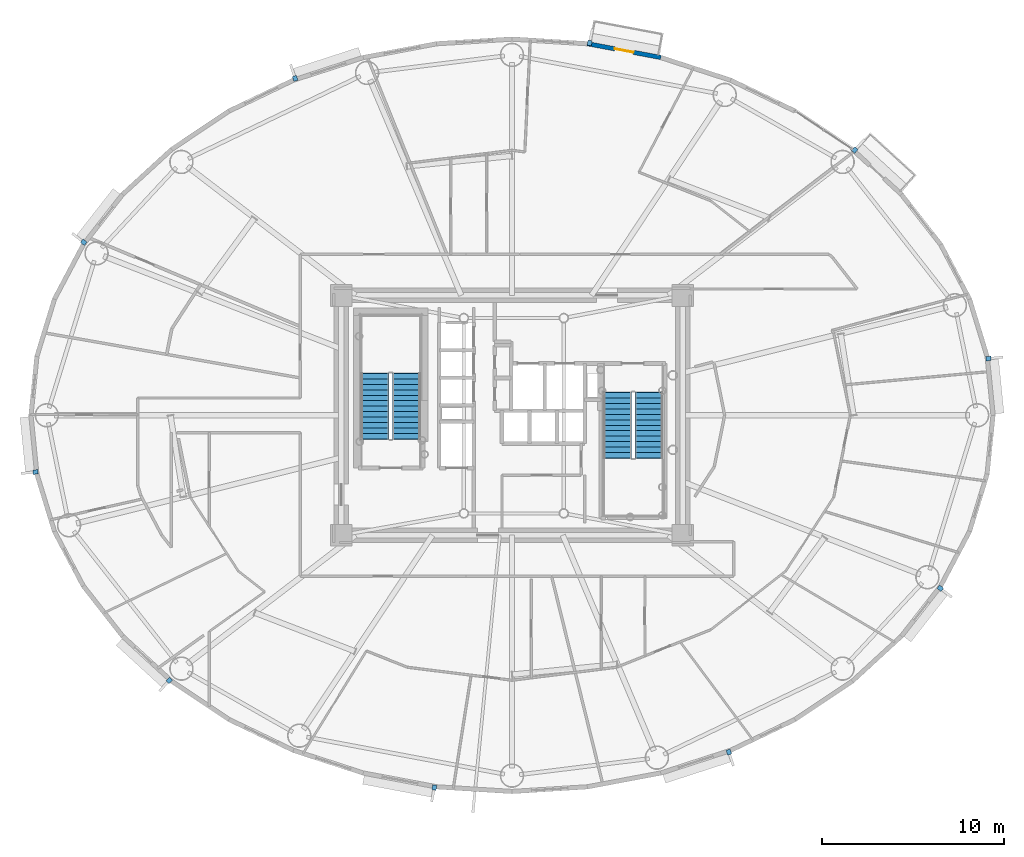
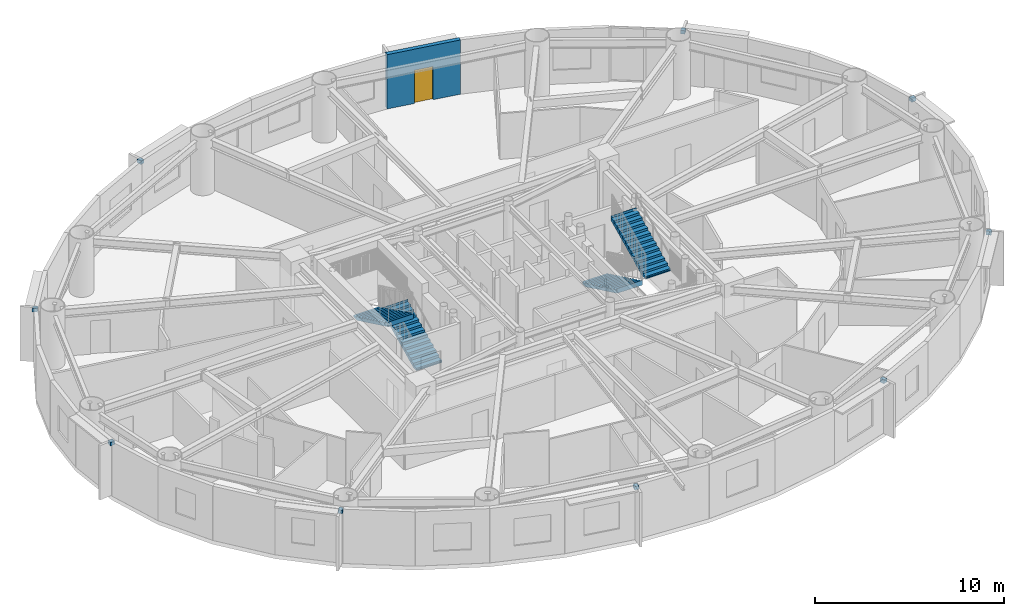
# One storey, part 14 of 21: 10 discrete accessories, 4 stair flights, 1 door, 1 wall, 1 opening, 2 elements without a shape of their own.
"""IFC4 building model written with IfcOpenShell, lengths in metres."""

from ifc_helpers import new_model, si_unit, direction, frame, frame_2d, origin, origin_2d, place, context, subcontext, project, spatial, polyline, rectangle, outline, extrude, source, transform, mapped, material, layer, layer_set, type_object, element, fill, aggregate, save


model = new_model("IFC4")

# Units and contexts
model_context = context("Model", 3, precision=1e-05, world=origin(), true_north=direction((0.0, 1.0)))
body_context = subcontext(model_context, "Body", "Model", "MODEL_VIEW")
ifc_project = project(units=[si_unit("LENGTHUNIT", "METRE"), si_unit("AREAUNIT", "SQUARE_METRE"), si_unit("VOLUMEUNIT", "CUBIC_METRE"), si_unit("PLANEANGLEUNIT", "RADIAN"), si_unit("MASSUNIT", "GRAM", prefix="KILO")], contexts=[model_context])

# Site, building, storey
site_placement = place(None, origin())
site = spatial("IfcSite", under=ifc_project, at=site_placement, CompositionType="ELEMENT")
building_placement = place(site_placement, origin())
building = spatial("IfcBuilding", under=site, at=building_placement, Name="Linh Dai School and Residence Tower", CompositionType="ELEMENT")
storey_placement = place(building_placement, frame((0.0, 0.0, 189.89990234375)))
storey = spatial("IfcBuildingStorey", under=building, at=storey_placement, Name="L46", CompositionType="ELEMENT", Elevation=189.89990234375)

# Wall, opening, door
ifc_material_1 = material(Name="Precast Concrete B45 (C35/45)", Category="concrete")
ifc_layer = layer(ifc_material_1, 0.239990234375)
ifc_layer_set = layer_set([ifc_layer], Name="Precast Concrete B45 (C35/45)")
wall_type = type_object("IfcWallType", Name="EW-TC-240", PredefinedType="SOLIDWALL", material=ifc_layer_set)
wall_placement = place(storey_placement, frame((40.145751953125, 47.449462890625, 0.0), z_axis=(0.0, 0.0, 1.0), x_axis=(0.982788108205, -0.184736391573, 0.0)))
wall = element("IfcWall", 1, at=wall_placement, inside=storey, type_object=wall_type, Name="L46 Terracotta Exterior Wall 09", PredefinedType="SOLIDWALL", context=body_context, shape_type="SweptSolid", body=[
    extrude(rectangle(XDim=4.114013671875, YDim=0.239990234375, at=frame_2d((2.05712890625, 0.0))), origin(), (0.0, 0.0, 1.0), 3.5),
])
opening_placement = place(wall_placement, frame((1.531982421875, 0.0, 0.0)))
opening = element("IfcOpeningElement", 2, at=opening_placement, cuts=wall, Name="Opening BD1", PredefinedType="OPENING", context=body_context, shape_type="SweptSolid", body=[
    extrude(rectangle(XDim=1.050048828125, YDim=2.14990234375, at=origin_2d()), frame((0.52490234375, 0.1298828125, 1.074951171875), z_axis=(0.0, -1.0, 0.0), x_axis=(1.0, 0.0, 0.0)), (0.0, 0.0, 1.0), 0.260009765625),
])
ifc_material_2 = material(Name="Double-Glazed Balcony Door", Category="glass")
door_type = type_object("IfcDoorType", Name="DR-BALC-1050x2150", OperationType="NOTDEFINED", PredefinedType="DOOR", material=ifc_material_2)
shared_shape_1 = source(origin(), body_context, "Body", "SweptSolid", [
    extrude(rectangle(XDim=1.050048828125, YDim=2.14990234375, at=origin_2d()), frame((0.52490234375, 0.02490234375, 1.074951171875), z_axis=(0.0, -1.0, 0.0), x_axis=(1.0, 0.0, 0.0)), (0.0, 0.0, 1.0), 0.050048828125),
])
door_placement = place(opening_placement, origin())
door = element("IfcDoor", 3, at=door_placement, inside=storey, type_object=door_type, Name="L46 Glazed Balcony Door 09", OperationType="SINGLE_SWING_RIGHT", OverallHeight=2.14990234375, OverallWidth=1.050048828125, PredefinedType="DOOR", context=body_context, shape_type="MappedRepresentation", body=[
    mapped(shared_shape_1, transform((0.0, 0.0, 0.0), x_axis=(1.0, 0.0, 0.0), y_axis=(0.0, 1.0, 0.0), z_axis=(0.0, 0.0, 1.0), scale=1.0)),
])
fill(opening, door)

# Stair, stair flights
ifc_material_3 = material(Name="Concrete B45 (C35/45)", Category="concrete")
stair_type = type_object("IfcStairType", Name="ST-DOG-1550-R1442", PredefinedType="HALF_TURN_STAIR", material=ifc_material_3)
stair_1_placement = place(storey_placement, origin())
stair_1 = element("IfcStair", 4, at=stair_1_placement, inside=storey, type_object=stair_type, Name="L46 Core Smokeproof Exit Stair ST1", PredefinedType="HALF_TURN_STAIR")
stair_flight_type = type_object("IfcStairFlightType", Name="STF-STR-1550-R1442", PredefinedType="STRAIGHT", material=ifc_material_3)
shared_shape_2 = source(origin(), body_context, "Body", "SweptSolid", [
    extrude(outline(polyline([(-0.02490234375, 0.0), (-0.02490234375, 0.06005859375), (0.0, 0.06005859375), (0.0, 0.144287109375), (0.300048828125, 0.144287109375), (0.300048828125, 0.28857421875), (0.60009765625, 0.28857421875), (0.60009765625, 0.4326171875), (0.89990234375, 0.4326171875), (0.89990234375, 0.576904296875), (1.199951171875, 0.576904296875), (1.199951171875, 0.72119140625), (1.5, 0.72119140625), (1.5, 0.865478515625), (1.800048828125, 0.865478515625), (1.800048828125, 1.009521484375), (2.10009765625, 1.009521484375), (2.10009765625, 1.15380859375), (2.39990234375, 1.15380859375), (2.39990234375, 1.298095703125), (2.699951171875, 1.298095703125), (2.699951171875, 1.4423828125), (3.0, 1.4423828125), (3.0, 1.58642578125), (3.300048828125, 1.58642578125), (3.300048828125, 1.730712890625), (3.60009765625, 1.730712890625), (3.60009765625, 1.875), (3.625, 1.875), (3.625, 1.564453125), (3.60009765625, 1.564453125), (0.345947265625, 0.0), (-0.02490234375, 0.0)])), frame((0.0, 0.77490234375, 0.0), z_axis=(0.0, -1.0, 0.0), x_axis=(1.0, 0.0, 0.0)), (0.0, 0.0, 1.0), 1.550048828125),
])
stair_flight_1_placement = place(storey_placement, frame((30.205078125, 25.699951171875, 0.0), z_axis=(0.0, 0.0, 1.0), x_axis=(0.0, 1.0, 0.0)))
stair_flight_1 = element("IfcStairFlight", 5, at=stair_flight_1_placement, type_object=stair_flight_type, Name="ST1 flight 1", NumberOfRisers=13, NumberOfTreads=12, PredefinedType="STRAIGHT", RiserHeight=0.144230769, TreadLength=0.3, context=body_context, shape_type="MappedRepresentation", body=[
    mapped(shared_shape_2, transform((0.0, 0.0, 0.0), x_axis=(1.0, 0.0, 0.0), y_axis=(0.0, 1.0, 0.0), z_axis=(0.0, 0.0, 1.0), scale=1.0)),
])
stair_flight_2_placement = place(storey_placement, frame((28.455078125, 29.300048828125, 1.875), z_axis=(0.0, 0.0, 1.0), x_axis=(0.0, -1.0, 0.0)))
stair_flight_2 = element("IfcStairFlight", 6, at=stair_flight_2_placement, type_object=stair_flight_type, Name="ST1 flight 2", NumberOfRisers=13, NumberOfTreads=12, PredefinedType="STRAIGHT", RiserHeight=0.144230769, TreadLength=0.3, context=body_context, shape_type="MappedRepresentation", body=[
    mapped(shared_shape_2, transform((0.0, 0.0, 0.0), x_axis=(1.0, 0.0, 0.0), y_axis=(0.0, 1.0, 0.0), z_axis=(0.0, 0.0, 1.0), scale=1.0)),
])
aggregate(stair_1, [stair_flight_1, stair_flight_2])

stair_2_placement = place(storey_placement, origin())
stair_2 = element("IfcStair", 7, at=stair_2_placement, inside=storey, type_object=stair_type, Name="L46 Core Smokeproof Exit Stair ST2", PredefinedType="HALF_TURN_STAIR")
stair_flight_3_placement = place(storey_placement, frame((41.794921875, 28.25, 0.0), z_axis=(0.0, 0.0, 1.0), x_axis=(0.0, -1.0, 0.0)))
stair_flight_3 = element("IfcStairFlight", 8, at=stair_flight_3_placement, type_object=stair_flight_type, Name="ST2 flight 1", NumberOfRisers=13, NumberOfTreads=12, PredefinedType="STRAIGHT", RiserHeight=0.144230769, TreadLength=0.3, context=body_context, shape_type="MappedRepresentation", body=[
    mapped(shared_shape_2, transform((0.0, 0.0, 0.0), x_axis=(1.0, 0.0, 0.0), y_axis=(0.0, 1.0, 0.0), z_axis=(0.0, 0.0, 1.0), scale=1.0)),
])
stair_flight_4_placement = place(storey_placement, frame((43.544921875, 24.64990234375, 1.875), z_axis=(0.0, 0.0, 1.0), x_axis=(0.0, 1.0, 0.0)))
stair_flight_4 = element("IfcStairFlight", 9, at=stair_flight_4_placement, type_object=stair_flight_type, Name="ST2 flight 2", NumberOfRisers=13, NumberOfTreads=12, PredefinedType="STRAIGHT", RiserHeight=0.144230769, TreadLength=0.3, context=body_context, shape_type="MappedRepresentation", body=[
    mapped(shared_shape_2, transform((0.0, 0.0, 0.0), x_axis=(1.0, 0.0, 0.0), y_axis=(0.0, 1.0, 0.0), z_axis=(0.0, 0.0, 1.0), scale=1.0)),
])
aggregate(stair_2, [stair_flight_3, stair_flight_4])

# Discrete accessories
ifc_material_4 = material(Name="Structural Steel S355JR", Category="steel")
discrete_accessory_type = type_object("IfcDiscreteAccessoryType", Name="ACC-BRK-S355", PredefinedType="BRACKET", material=ifc_material_4)
shared_shape_3 = source(origin(), body_context, "Body", "SweptSolid", [
    extrude(rectangle(XDim=0.280029296875, YDim=0.239990234375, at=origin_2d()), origin(), (0.0, 0.0, 1.0), 0.219970703125),
])
for number, where, z_axis, x_axis, name in (
    (10, (62.2216796875, 30.120361328125, 3.25), (0.0, 0.0, 1.0), (0.994987256586, 0.100001796141, 0.0), "L46 Facade Frame Anchor Bracket 01"),
    (11, (54.861083984375, 41.59375, 3.25), (0.0, 0.0, 1.0), (0.67580001435, 0.737085029426, 0.0), "L46 Facade Frame Anchor Bracket 05"),
    (12, (40.27490234375, 47.486328125, 3.25), (0.0, 0.0, 1.0), (0.184762540184, 0.982783192645, 0.0), "L46 Facade Frame Anchor Bracket 09"),
    (13, (24.06591796875, 45.53759765625, 3.25), (0.0, 0.0, 1.0), (-0.308535707031, 0.951212761419, 0.0), "L46 Facade Frame Anchor Bracket 13"),
    (14, (12.4306640625, 36.52001953125, 3.25), (0.0, 0.0, 1.0), (-0.787522158319, 0.616286337798, 0.0), "L46 Facade Frame Anchor Bracket 17"),
    (15, (9.7783203125, 23.879638671875, 3.25), (0.0, 0.0, 1.0), (-0.994987256586, -0.100001796141, 0.0), "L46 Facade Frame Anchor Bracket 21"),
    (16, (17.138916015625, 12.40625, 3.25), (0.0, 0.0, 1.0), (-0.67580001435, -0.737085029426, 0.0), "L46 Facade Frame Anchor Bracket 25"),
    (17, (31.72509765625, 6.513671875, 3.25), (0.0, 0.0, 1.0), (-0.184762540184, -0.982783192645, 0.0), "L46 Facade Frame Anchor Bracket 29"),
    (18, (47.93408203125, 8.46240234375, 3.25), (0.0, 0.0, 1.0), (0.308535707031, -0.951212761419, 0.0), "L46 Facade Frame Anchor Bracket 33"),
    (19, (59.5693359375, 17.47998046875, 3.25), (0.0, 0.0, 1.0), (0.787522158319, -0.616286337798, 0.0), "L46 Facade Frame Anchor Bracket 37"),
):
    element("IfcDiscreteAccessory", number, at=place(storey_placement, frame(where, z_axis=z_axis, x_axis=x_axis)), inside=storey, type_object=discrete_accessory_type, Name=name, PredefinedType="BRACKET", context=body_context, shape_type="MappedRepresentation", body=[
        mapped(shared_shape_3, transform((0.0, 0.0, 0.0), x_axis=(1.0, 0.0, 0.0), y_axis=(0.0, 1.0, 0.0), z_axis=(0.0, 0.0, 1.0), scale=1.0)),
    ])

save(model, "model.ifc")
